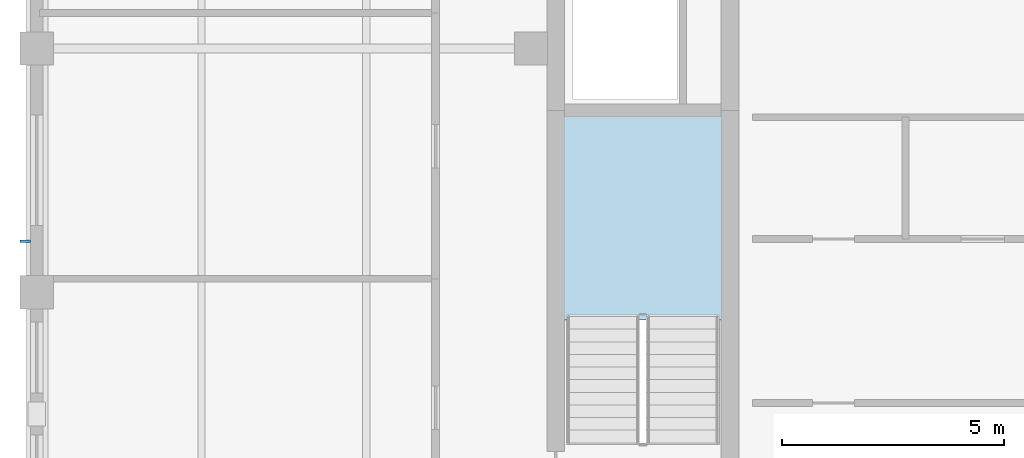
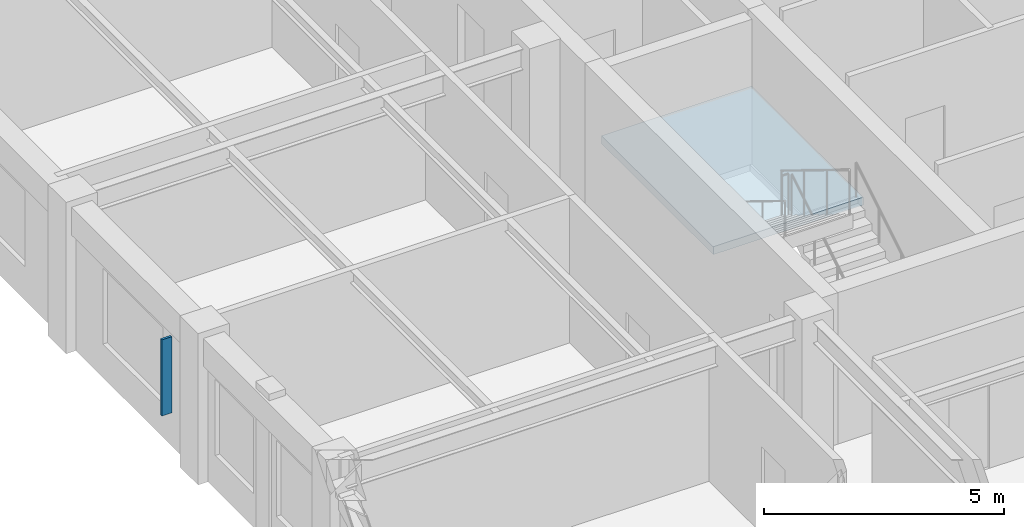
# One storey, part 2 of 8: 1 plate, 1 slab, 1 element without a shape of its own.
"""IFC4 building model written with IfcOpenShell, lengths in metres."""

from ifc_helpers import new_model, si_unit, direction, frame, origin, origin_2d, place, context, subcontext, project, spatial, polyline, rectangle, outline, extrude, material, layer, layer_set, type_object, element, aggregate, save


model = new_model("IFC4")

# Units and contexts
model_context = context("Model", 3, precision=1e-05, world=origin(), true_north=direction((0.0, 1.0)))
body_context = subcontext(model_context, "Body", "Model", "MODEL_VIEW")
ifc_project = project(units=[si_unit("LENGTHUNIT", "METRE"), si_unit("AREAUNIT", "SQUARE_METRE"), si_unit("VOLUMEUNIT", "CUBIC_METRE"), si_unit("PLANEANGLEUNIT", "RADIAN"), si_unit("MASSUNIT", "GRAM", prefix="KILO")], contexts=[model_context])

# Site, building, storey
site_placement = place(None, origin())
site = spatial("IfcSite", under=ifc_project, at=site_placement, CompositionType="ELEMENT")
building_placement = place(site_placement, origin())
building = spatial("IfcBuilding", under=site, at=building_placement, Name="Nhamokura Convention Tower", CompositionType="ELEMENT")
storey_placement = place(building_placement, frame((0.0, 0.0, 292.949951171875)))
storey = spatial("IfcBuildingStorey", under=building, at=storey_placement, Name="L72", CompositionType="ELEMENT", Elevation=292.949951171875)

# Plate
ifc_material_1 = material(Name="Anodised bronze aluminium AA6063-T6", Category="aluminium")
plate_type = type_object("IfcPlateType", Name="BronzeSolarFin_3", PredefinedType="USERDEFINED", material=ifc_material_1)
plate_placement = place(storey_placement, frame((9.239990234375, 27.64990234375, 0.85009765625), z_axis=(0.0, 0.0, 1.0), x_axis=(1.0, 0.0, 0.0)))
element("IfcPlate", 1, at=plate_placement, inside=storey, type_object=plate_type, Name="L72 Bronze Solar Shading Fin WEST 2", ObjectType="SOLAR_FIN", PredefinedType="USERDEFINED", context=body_context, shape_type="SweptSolid", body=[
    extrude(rectangle(XDim=0.239990234375, YDim=0.06005859375, at=origin_2d()), origin(), (0.0, 0.0, 1.0), 1.93505859375),
])

# Stair, slab
ifc_material_2 = material(Name="Concrete C40/50", Category="concrete")
stair_type = type_object("IfcStairType", Name="TowerCoreStair_1650", PredefinedType="HALF_TURN_STAIR", material=ifc_material_2)
stair_placement = place(storey_placement, origin())
stair = element("IfcStair", 2, at=stair_placement, inside=storey, type_object=stair_type, Name="L72 West Core Smokeproof Stair ST-01", PredefinedType="HALF_TURN_STAIR")
ifc_material_3 = material(Name="Concrete C40/50", Category="concrete")
ifc_layer = layer(ifc_material_3, 0.199951171875)
ifc_layer_set = layer_set([ifc_layer], Name="StairLandingSlab_200")
slab_type = type_object("IfcSlabType", Name="StairLandingSlab_200", PredefinedType="LANDING", material=ifc_layer_set)
slab_placement = place(storey_placement, frame((0.0, 0.0, 1.72509765625)))
slab = element("IfcSlab", 3, at=slab_placement, type_object=slab_type, Name="ST-01 landing 1", PredefinedType="LANDING", context=body_context, shape_type="SweptSolid", body=[
    extrude(outline(polyline([(24.97998046875, 25.8701171875), (24.97998046875, 30.530029296875), (21.3701171875, 30.530029296875), (21.3701171875, 25.8701171875), (24.97998046875, 25.8701171875)])), origin(), (0.0, 0.0, 1.0), 0.199951171875),
])
aggregate(stair, [slab])

save(model, "model.ifc")
